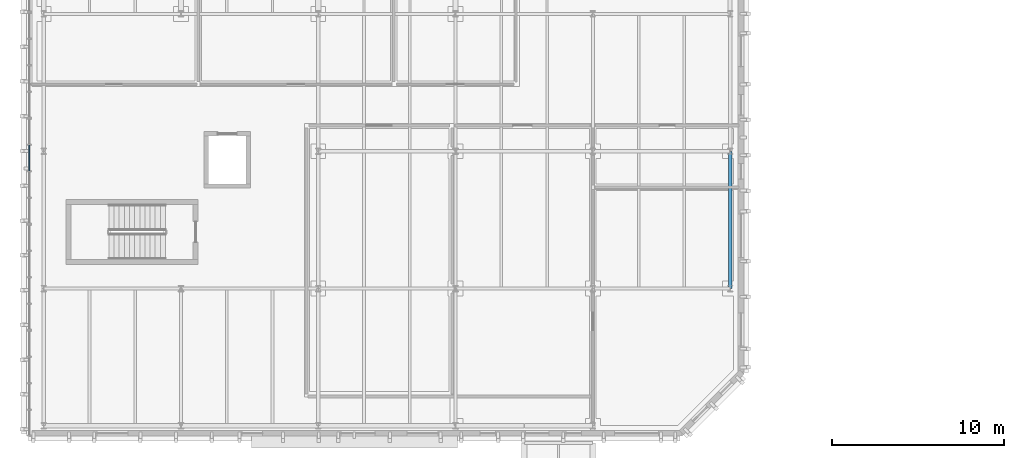
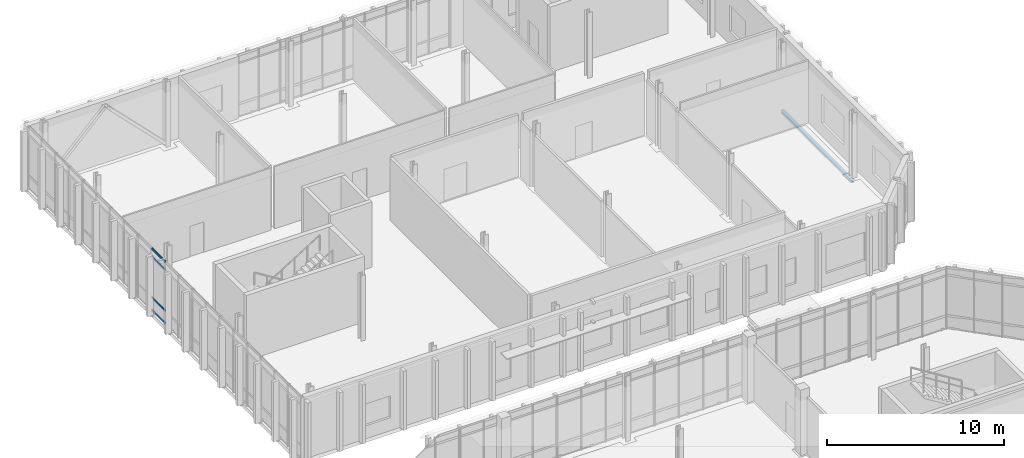
# One storey, part 21 of 62: 4 members, 1 beam, 1 element without a shape of its own.
"""IFC4 building model written with IfcOpenShell, lengths in metres."""

from ifc_helpers import new_model, si_unit, direction, frame, origin, origin_2d, place, context, subcontext, project, spatial, rectangle, i_section, extrude, material, material_profile, profile_set, type_object, element, aggregate, save


model = new_model("IFC4")

# Units and contexts
model_context = context("Model", 3, precision=1e-05, world=origin(), true_north=direction((0.0, 1.0)))
body_context = subcontext(model_context, "Body", "Model", "MODEL_VIEW")
ifc_project = project(units=[si_unit("LENGTHUNIT", "METRE"), si_unit("AREAUNIT", "SQUARE_METRE"), si_unit("VOLUMEUNIT", "CUBIC_METRE"), si_unit("PLANEANGLEUNIT", "RADIAN"), si_unit("MASSUNIT", "GRAM", prefix="KILO")], contexts=[model_context])

# Site, building, storey
site_placement = place(None, origin())
site = spatial("IfcSite", under=ifc_project, at=site_placement, CompositionType="ELEMENT")
building_placement = place(site_placement, origin())
building = spatial("IfcBuilding", under=site, at=building_placement, Name="Cymarion Research Institute", CompositionType="ELEMENT")
storey_placement = place(building_placement, frame((0.0, 0.0, 18.300048828125)))
storey = spatial("IfcBuildingStorey", under=building, at=storey_placement, Name="L04", CompositionType="ELEMENT", Elevation=18.300048828125)

# Curtain wall, members
ifc_material_1 = material(Name="Anodised aluminium unitised curtain wall with Low-E glazing", Category="aluminium")
curtain_wall_type = type_object("IfcCurtainWallType", Name="UNITISED CURTAIN WALL CW45 6180X4280", PredefinedType="NOTDEFINED", material=ifc_material_1)
curtain_wall_placement = place(storey_placement, origin())
curtain_wall = element("IfcCurtainWall", 1, at=curtain_wall_placement, inside=storey, type_object=curtain_wall_type, Name="L04 V5 unitised curtain wall CW45 #197", PredefinedType="NOTDEFINED")
ifc_material_2 = material(Name="Anodised aluminium framing", Category="aluminium")
ifc_material_profile_1 = material_profile(ifc_material_2, rectangle(XDim=0.06005859375, YDim=0.14990234375, at=origin_2d()), Name="ALU TRANSOM 60x150")
ifc_profile_set_1 = profile_set([ifc_material_profile_1], Name="Anodised aluminium framing")
member_type = type_object("IfcMemberType", Name="CURTAIN WALL TRANSOM TR01 60X150", PredefinedType="USERDEFINED", material=ifc_profile_set_1)
member_1_placement = place(storey_placement, frame((5.77001953125, 101.852783203125, 0.030029296875), z_axis=(0.0, -1.0, 0.0), x_axis=(1.0, 0.0, 0.0)))
member_1 = element("IfcMember", 2, at=member_1_placement, type_object=member_type, Name="CW45 transom 2.1", ObjectType="TRANSOM", PredefinedType="USERDEFINED", context=body_context, shape_type="SweptSolid", body=[
    extrude(rectangle(XDim=0.06005859375, YDim=0.14990234375, at=origin_2d()), origin(), (0.0, 0.0, 1.0), 1.48388671875),
])
member_2_placement = place(storey_placement, frame((5.77001953125, 101.852783203125, 0.89990234375), z_axis=(0.0, -1.0, 0.0), x_axis=(1.0, 0.0, 0.0)))
member_2 = element("IfcMember", 3, at=member_2_placement, type_object=member_type, Name="CW45 transom 2.2", ObjectType="TRANSOM", PredefinedType="USERDEFINED", context=body_context, shape_type="SweptSolid", body=[
    extrude(rectangle(XDim=0.06005859375, YDim=0.14990234375, at=origin_2d()), origin(), (0.0, 0.0, 1.0), 1.48388671875),
])
member_3_placement = place(storey_placement, frame((5.77001953125, 101.852783203125, 3.72998046875), z_axis=(0.0, -1.0, 0.0), x_axis=(1.0, 0.0, 0.0)))
member_3 = element("IfcMember", 4, at=member_3_placement, type_object=member_type, Name="CW45 transom 2.3", ObjectType="TRANSOM", PredefinedType="USERDEFINED", context=body_context, shape_type="SweptSolid", body=[
    extrude(rectangle(XDim=0.06005859375, YDim=0.14990234375, at=origin_2d()), origin(), (0.0, 0.0, 1.0), 1.48388671875),
])
member_4_placement = place(storey_placement, frame((5.77001953125, 101.852783203125, 4.25), z_axis=(0.0, -1.0, 0.0), x_axis=(1.0, 0.0, 0.0)))
member_4 = element("IfcMember", 5, at=member_4_placement, type_object=member_type, Name="CW45 transom 2.4", ObjectType="TRANSOM", PredefinedType="USERDEFINED", context=body_context, shape_type="SweptSolid", body=[
    extrude(rectangle(XDim=0.06005859375, YDim=0.14990234375, at=origin_2d()), origin(), (0.0, 0.0, 1.0), 1.48388671875),
])
aggregate(curtain_wall, [member_1, member_2, member_3, member_4])

# Beam
ifc_material_3 = material(Name="Steel S355", Category="steel")
ifc_material_profile_2 = material_profile(ifc_material_3, i_section(OverallWidth=0.199951171875, OverallDepth=0.18994140625, WebThickness=0.006591796875, FlangeThickness=0.010009765625, FilletRadius=0.01806640625, at=origin_2d()), Name="HEA 200")
ifc_profile_set_2 = profile_set([ifc_material_profile_2], Name="Steel S355")
beam_type = type_object("IfcBeamType", Name="SPANDREL BEAM SPB04 HEA 200", PredefinedType="SPANDREL", material=ifc_profile_set_2)
beam_placement = place(storey_placement, frame((46.60009765625, 93.506103515625, -0.344970703125), z_axis=(0.0, 1.0, 0.0), x_axis=(-1.0, 0.0, 0.0)))
element("IfcBeam", 6, at=beam_placement, inside=storey, type_object=beam_type, Name="L04 V5 girder SPB04 #1814", PredefinedType="SPANDREL", context=body_context, shape_type="SweptSolid", body=[
    extrude(i_section(OverallWidth=0.199951171875, OverallDepth=0.18994140625, WebThickness=0.006591796875, FlangeThickness=0.010009765625, FilletRadius=0.01806640625, at=origin_2d()), origin(), (0.0, 0.0, 1.0), 7.98779296875),
])

save(model, "model.ifc")
